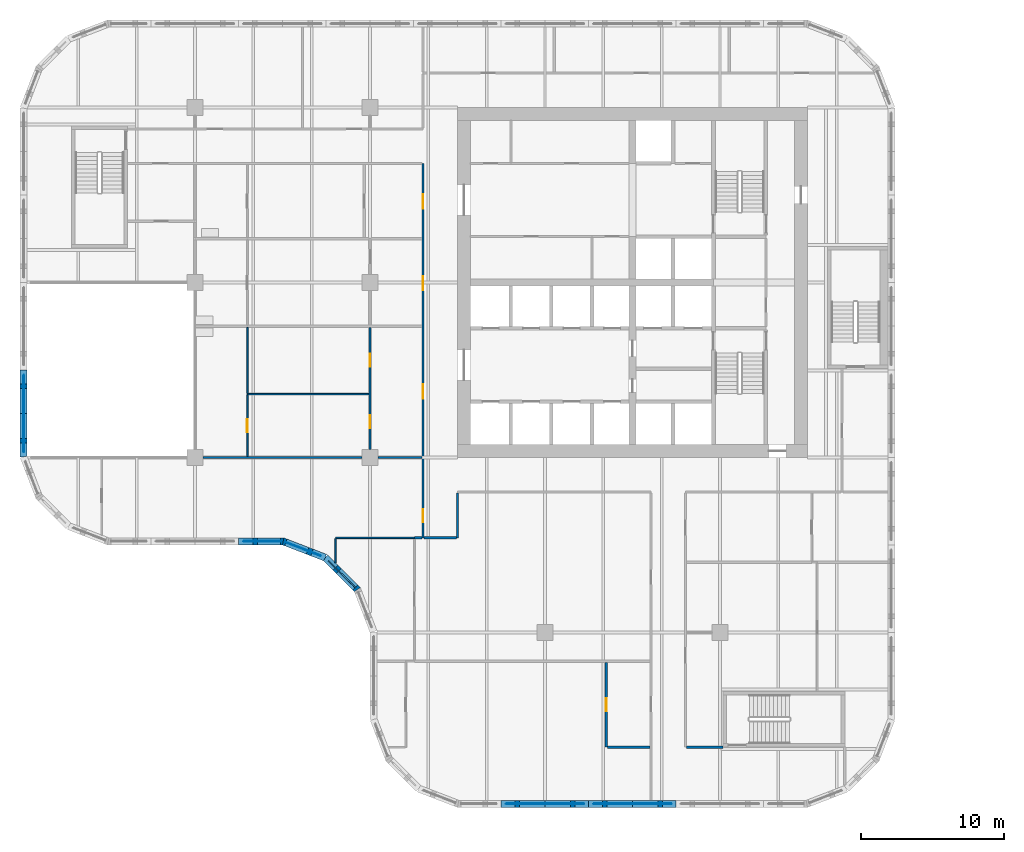
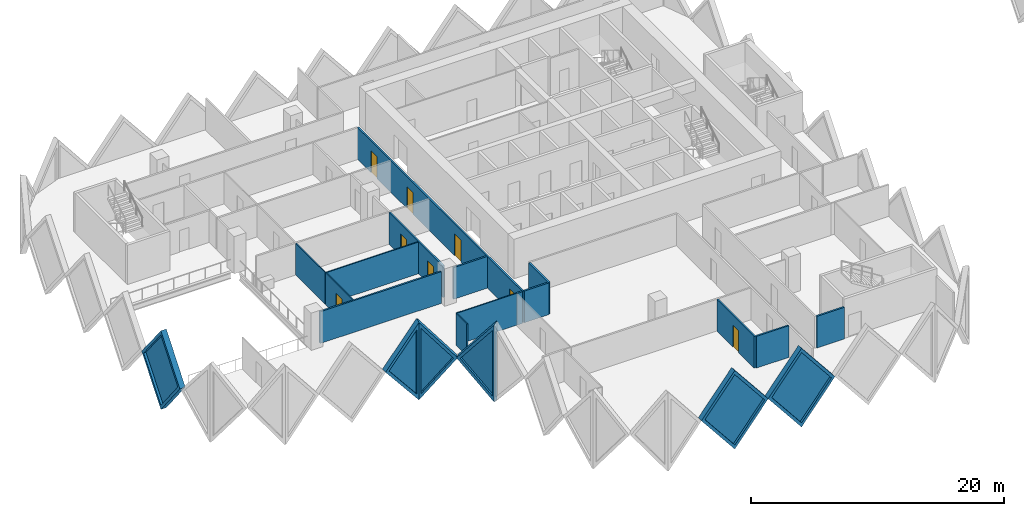
# One storey, part 5 of 20: 21 walls, 8 doors, 6 plates, 14 openings.
"""IFC4 building model written with IfcOpenShell, lengths in metres."""

from ifc_helpers import new_model, si_unit, direction, frame, frame_2d, origin, place, context, subcontext, project, spatial, polyline, rectangle, outline, extrude, faceted_brep, source, transform, mapped, material, layer, layer_set, type_object, element, fill, save


model = new_model("IFC4")

# Units and contexts
model_context = context("Model", 3, precision=1e-05, world=origin(), true_north=direction((0.0, 1.0)))
body_context = subcontext(model_context, "Body", "Model", "MODEL_VIEW")
ifc_project = project(units=[si_unit("LENGTHUNIT", "METRE"), si_unit("AREAUNIT", "SQUARE_METRE"), si_unit("VOLUMEUNIT", "CUBIC_METRE"), si_unit("PLANEANGLEUNIT", "RADIAN"), si_unit("MASSUNIT", "GRAM", prefix="KILO")], contexts=[model_context])

# Site, building, storey
site_placement = place(None, origin())
site = spatial("IfcSite", under=ifc_project, at=site_placement, CompositionType="ELEMENT")
building_placement = place(site_placement, origin())
building = spatial("IfcBuilding", under=site, at=building_placement, Name="Tessera Gate Towers", CompositionType="ELEMENT")
storey_placement = place(building_placement, frame((0.0, 0.0, 48.60009765625)))
storey = spatial("IfcBuildingStorey", under=building, at=storey_placement, Name="L11", CompositionType="ELEMENT", Elevation=48.60009765625)

# Wall
ifc_material_1 = material(Name="Gypsum board on steel studs, mineral wool", Category="steel")
ifc_layer_1 = layer(ifc_material_1, 0.14990234375)
ifc_layer_set_1 = layer_set([ifc_layer_1], Name="CORRIDOR WALL 150")
wall_type_1 = type_object("IfcWallType", Name="CORRIDOR WALL 150", PredefinedType="PARTITIONING", material=ifc_layer_set_1)
wall_1_placement = place(storey_placement, frame((46.47607421875, 4.199951171875, 0.0), z_axis=(0.0, 0.0, 1.0), x_axis=(1.0, 0.0, 0.0)))
element("IfcWall", 1, at=wall_1_placement, inside=storey, type_object=wall_type_1, Name="T1-L11-PW-008", PredefinedType="PARTITIONING", context=body_context, shape_type="SweptSolid", body=[
    extrude(rectangle(XDim=2.52392578125, YDim=0.14990234375, at=frame_2d((1.261962890625, 0.0))), origin(), (0.0, 0.0, 1.0), 3.06689453125),
])

# Wall, openings, doors
wall_2_placement = place(storey_placement, frame((28.10009765625, 18.800048828125, 0.0), z_axis=(0.0, 0.0, 1.0), x_axis=(0.0, 1.0, 0.0)))
wall_2 = element("IfcWall", 2, at=wall_2_placement, inside=storey, type_object=wall_type_1, Name="T1-L11-PW-022", PredefinedType="PARTITIONING", context=body_context, shape_type="SweptSolid", body=[
    extrude(rectangle(XDim=26.099853515625, YDim=0.14990234375, at=frame_2d((13.0498046875, 0.0))), origin(), (0.0, 0.0, 1.0), 3.06689453125),
])
shared_shape_1 = source(origin(), body_context, "Body", "SweptSolid", [
    extrude(rectangle(XDim=0.89990234375, YDim=2.10009765625, at=frame_2d((0.449951171875, 1.050048828125))), frame((0.0, 0.0849609375, 0.0), z_axis=(0.0, -1.0, 0.0), x_axis=(1.0, 0.0, 0.0)), (0.0, 0.0, 1.0), 0.169921875),
])
opening_1_placement = place(wall_2_placement, frame((1.10009765625, 0.0, 0.0)))
opening_1 = element("IfcOpeningElement", 3, at=opening_1_placement, cuts=wall_2, Name="Opening D890FD60-A04-01", PredefinedType="OPENING", context=body_context, shape_type="MappedRepresentation", body=[
    mapped(shared_shape_1, transform((0.0, 0.0, 0.0), scale=1.0)),
])
shared_shape_2 = source(origin(), body_context, "Body", "SweptSolid", [
    extrude(rectangle(XDim=1.0, YDim=2.10009765625, at=frame_2d((0.5, 1.050048828125))), frame((0.0, 0.0849609375, 0.0), z_axis=(0.0, -1.0, 0.0), x_axis=(1.0, 0.0, 0.0)), (0.0, 0.0, 1.0), 0.169921875),
])
opening_2_placement = place(wall_2_placement, frame((22.950927734375, 0.0, 0.0)))
opening_2 = element("IfcOpeningElement", 4, at=opening_2_placement, cuts=wall_2, Name="Opening D2100FD60-A04-03", PredefinedType="OPENING", context=body_context, shape_type="MappedRepresentation", body=[
    mapped(shared_shape_2, transform((0.0, 0.0, 0.0), scale=1.0)),
])
opening_3_placement = place(wall_2_placement, frame((17.2509765625, 0.0, 0.0)))
opening_3 = element("IfcOpeningElement", 5, at=opening_3_placement, cuts=wall_2, Name="Opening D2100FD60-A04-05", PredefinedType="OPENING", context=body_context, shape_type="MappedRepresentation", body=[
    mapped(shared_shape_2, transform((0.0, 0.0, 0.0), scale=1.0)),
])
opening_4_placement = place(wall_2_placement, frame((9.699951171875, 0.0, 0.0)))
opening_4 = element("IfcOpeningElement", 6, at=opening_4_placement, cuts=wall_2, Name="Opening D2100FD60-A04-07", PredefinedType="OPENING", context=body_context, shape_type="MappedRepresentation", body=[
    mapped(shared_shape_2, transform((0.0, 0.0, 0.0), scale=1.0)),
])
ifc_material_2 = material(Name="Timber door leaf in steel frame", Category="steel")
door_type_1 = type_object("IfcDoorType", Name="CORRIDOR DOOR 900 FD60", OperationType="NOTDEFINED", PredefinedType="DOOR", material=ifc_material_2)
shared_shape_3 = source(origin(), body_context, "Body", "SweptSolid", [
    extrude(rectangle(XDim=0.89990234375, YDim=2.10009765625, at=frame_2d((0.449951171875, 1.050048828125))), frame((0.0, 0.02490234375, 0.0), z_axis=(0.0, -1.0, 0.0), x_axis=(1.0, 0.0, 0.0)), (0.0, 0.0, 1.0), 0.050048828125),
])
door_1_placement = place(opening_1_placement, origin())
door_1 = element("IfcDoor", 7, at=door_1_placement, inside=storey, type_object=door_type_1, Name="T1-L11-PD-001", OperationType="SINGLE_SWING_LEFT", OverallHeight=2.10009765625, OverallWidth=0.89990234375, PredefinedType="DOOR", context=body_context, shape_type="MappedRepresentation", body=[
    mapped(shared_shape_3, transform((0.0, 0.0, 0.0), scale=1.0)),
])
fill(opening_1, door_1)
ifc_material_3 = material(Name="Timber door leaf in steel frame", Category="steel")
door_type_2 = type_object("IfcDoorType", Name="TENANCY ENTRANCE DOOR 1000 FD60", OperationType="NOTDEFINED", PredefinedType="DOOR", material=ifc_material_3)
shared_shape_4 = source(origin(), body_context, "Body", "SweptSolid", [
    extrude(rectangle(XDim=1.0, YDim=2.10009765625, at=frame_2d((0.5, 1.050048828125))), frame((0.0, 0.02490234375, 0.0), z_axis=(0.0, -1.0, 0.0), x_axis=(1.0, 0.0, 0.0)), (0.0, 0.0, 1.0), 0.050048828125),
])
door_2_placement = place(opening_2_placement, origin())
door_2 = element("IfcDoor", 8, at=door_2_placement, inside=storey, type_object=door_type_2, Name="T1-L11-PD-012", OperationType="SINGLE_SWING_LEFT", OverallHeight=2.10009765625, OverallWidth=1.0, PredefinedType="DOOR", context=body_context, shape_type="MappedRepresentation", body=[
    mapped(shared_shape_4, transform((0.0, 0.0, 0.0), scale=1.0)),
])
fill(opening_2, door_2)
door_3_placement = place(opening_3_placement, origin())
door_3 = element("IfcDoor", 9, at=door_3_placement, inside=storey, type_object=door_type_2, Name="T1-L11-PD-016", OperationType="SINGLE_SWING_LEFT", OverallHeight=2.10009765625, OverallWidth=1.0, PredefinedType="DOOR", context=body_context, shape_type="MappedRepresentation", body=[
    mapped(shared_shape_4, transform((0.0, 0.0, 0.0), scale=1.0)),
])
fill(opening_3, door_3)
door_4_placement = place(opening_4_placement, origin())
door_4 = element("IfcDoor", 10, at=door_4_placement, inside=storey, type_object=door_type_2, Name="T1-L11-PD-024", OperationType="SINGLE_SWING_LEFT", OverallHeight=2.10009765625, OverallWidth=1.0, PredefinedType="DOOR", context=body_context, shape_type="MappedRepresentation", body=[
    mapped(shared_shape_4, transform((0.0, 0.0, 0.0), scale=1.0)),
])
fill(opening_4, door_4)

# Walls
wall_3_placement = place(storey_placement, frame((28.176025390625, 18.800048828125, 0.0), z_axis=(0.0, 0.0, 1.0), x_axis=(1.0, 0.0, 0.0)))
element("IfcWall", 11, at=wall_3_placement, inside=storey, type_object=wall_type_1, Name="T1-L11-PW-023", PredefinedType="PARTITIONING", context=body_context, shape_type="SweptSolid", body=[
    extrude(rectangle(XDim=2.248046875, YDim=0.14990234375, at=frame_2d((1.1240234375, 0.0))), origin(), (0.0, 0.0, 1.0), 3.06689453125),
])
wall_4_placement = place(storey_placement, frame((30.5, 18.800048828125, 0.0), z_axis=(0.0, 0.0, 1.0), x_axis=(0.0, 1.0, 0.0)))
element("IfcWall", 12, at=wall_4_placement, inside=storey, type_object=wall_type_1, Name="T1-L11-PW-024", PredefinedType="PARTITIONING", context=body_context, shape_type="SweptSolid", body=[
    extrude(rectangle(XDim=3.1240234375, YDim=0.14990234375, at=frame_2d((1.56201171875, 0.0))), origin(), (0.0, 0.0, 1.0), 3.06689453125),
])
ifc_material_4 = material(Name="Glass", Category="glass")
ifc_layer_2 = layer(ifc_material_4, 0.10009765625)
ifc_layer_set_2 = layer_set([ifc_layer_2], Name="GLAZED PARTITION 100")
wall_type_2 = type_object("IfcWallType", Name="GLAZED PARTITION 100", PredefinedType="PARTITIONING", material=ifc_layer_set_2)
wall_5_placement = place(storey_placement, frame((22.0, 17.054931640625, 0.0), z_axis=(0.0, 0.0, 1.0), x_axis=(0.0, 1.0, 0.0)))
element("IfcWall", 13, at=wall_5_placement, inside=storey, type_object=wall_type_2, Name="T1-L11-PW-015", PredefinedType="PARTITIONING", context=body_context, shape_type="SweptSolid", body=[
    extrude(rectangle(XDim=1.694091796875, YDim=0.10009765625, at=frame_2d((0.84716796875, 0.0))), origin(), (0.0, 0.0, 1.0), 3.06689453125),
])
wall_6_placement = place(storey_placement, frame((22.0, 18.800048828125, 0.0), z_axis=(0.0, 0.0, 1.0), x_axis=(1.0, 0.0, 0.0)))
element("IfcWall", 14, at=wall_6_placement, inside=storey, type_object=wall_type_2, Name="T1-L11-PW-020", PredefinedType="PARTITIONING", context=body_context, shape_type="SweptSolid", body=[
    extrude(rectangle(XDim=5.4990234375, YDim=0.10009765625, at=frame_2d((2.74951171875, 0.0))), origin(), (0.0, 0.0, 1.0), 3.06689453125),
])

# Wall, opening, door
ifc_material_5 = material(Name="Gypsum board on steel studs", Category="steel")
ifc_layer_3 = layer(ifc_material_5, 0.10009765625)
ifc_layer_set_3 = layer_set([ifc_layer_3], Name="PARTITION 100")
wall_type_3 = type_object("IfcWallType", Name="PARTITION 100", PredefinedType="PARTITIONING", material=ifc_layer_set_3)
wall_7_placement = place(storey_placement, frame((15.85009765625, 24.47607421875, 0.0), z_axis=(0.0, 0.0, 1.0), x_axis=(0.0, 1.0, 0.0)))
wall_7 = element("IfcWall", 15, at=wall_7_placement, inside=storey, type_object=wall_type_3, Name="T1-L11-PW-032", PredefinedType="PARTITIONING", context=body_context, shape_type="SweptSolid", body=[
    extrude(rectangle(XDim=4.293212890625, YDim=0.10009765625, at=frame_2d((2.146484375, 0.0))), origin(), (0.0, 0.0, 1.0), 3.06689453125),
])
shared_shape_5 = source(origin(), body_context, "Body", "SweptSolid", [
    extrude(rectangle(XDim=0.89990234375, YDim=2.10009765625, at=frame_2d((0.449951171875, 1.050048828125))), frame((0.0, 0.06005859375, 0.0), z_axis=(0.0, -1.0, 0.0), x_axis=(1.0, 0.0, 0.0)), (0.0, 0.0, 1.0), 0.1201171875),
])
opening_5_placement = place(wall_7_placement, frame((1.699951171875, 0.0, 0.0)))
opening_5 = element("IfcOpeningElement", 16, at=opening_5_placement, cuts=wall_7, Name="Opening D190-A04-02", PredefinedType="OPENING", context=body_context, shape_type="MappedRepresentation", body=[
    mapped(shared_shape_5, transform((0.0, 0.0, 0.0), scale=1.0)),
])
ifc_material_6 = material(Name="Timber door leaf in steel frame", Category="steel")
door_type_3 = type_object("IfcDoorType", Name="INTERNAL DOOR 900 NOT RATED", OperationType="NOTDEFINED", PredefinedType="DOOR", material=ifc_material_6)
door_5_placement = place(opening_5_placement, origin())
door_5 = element("IfcDoor", 17, at=door_5_placement, inside=storey, type_object=door_type_3, Name="T1-L11-PD-003", OperationType="SINGLE_SWING_LEFT", OverallHeight=2.10009765625, OverallWidth=0.89990234375, PredefinedType="DOOR", context=body_context, shape_type="MappedRepresentation", body=[
    mapped(shared_shape_3, transform((0.0, 0.0, 0.0), scale=1.0)),
])
fill(opening_5, door_5)

# Walls
wall_8_placement = place(storey_placement, frame((15.85009765625, 28.820068359375, 0.0), z_axis=(0.0, 0.0, 1.0), x_axis=(1.0, 0.0, 0.0)))
element("IfcWall", 18, at=wall_8_placement, inside=storey, type_object=wall_type_3, Name="T1-L11-PW-034", PredefinedType="PARTITIONING", context=body_context, shape_type="SweptSolid", body=[
    extrude(rectangle(XDim=8.473876953125, YDim=0.10009765625, at=frame_2d((4.23681640625, 0.0))), origin(), (0.0, 0.0, 1.0), 3.06689453125),
])
wall_9_placement = place(storey_placement, frame((15.85009765625, 28.871337890625, 0.0), z_axis=(0.0, 0.0, 1.0), x_axis=(0.0, 1.0, 0.0)))
element("IfcWall", 19, at=wall_9_placement, inside=storey, type_object=wall_type_3, Name="T1-L11-PW-035", PredefinedType="PARTITIONING", context=body_context, shape_type="SweptSolid", body=[
    extrude(rectangle(XDim=4.602783203125, YDim=0.10009765625, at=frame_2d((2.30126953125, 0.0))), origin(), (0.0, 0.0, 1.0), 3.06689453125),
])

# Wall, opening, door
ifc_material_7 = material(Name="Gypsum board on steel studs, mineral wool", Category="steel")
ifc_layer_4 = layer(ifc_material_7, 0.14990234375)
ifc_layer_set_4 = layer_set([ifc_layer_4], Name="TENANCY WALL 150")
wall_type_4 = type_object("IfcWallType", Name="TENANCY WALL 150", PredefinedType="PARTITIONING", material=ifc_layer_set_4)
wall_10_placement = place(storey_placement, frame((40.875, 4.199951171875, 0.0), z_axis=(0.0, 0.0, 1.0), x_axis=(0.0, 1.0, 0.0)))
wall_10 = element("IfcWall", 20, at=wall_10_placement, inside=storey, type_object=wall_type_4, Name="T1-L11-PW-005", PredefinedType="PARTITIONING", context=body_context, shape_type="SweptSolid", body=[
    extrude(rectangle(XDim=5.924072265625, YDim=0.14990234375, at=frame_2d((2.9619140625, 0.0))), origin(), (0.0, 0.0, 1.0), 3.06689453125),
])
opening_6_placement = place(wall_10_placement, frame((2.5, 0.0, 0.0)))
opening_6 = element("IfcOpeningElement", 21, at=opening_6_placement, cuts=wall_10, Name="Opening D190-A04-10", PredefinedType="OPENING", context=body_context, shape_type="MappedRepresentation", body=[
    mapped(shared_shape_1, transform((0.0, 0.0, 0.0), scale=1.0)),
])
door_6_placement = place(opening_6_placement, origin())
door_6 = element("IfcDoor", 22, at=door_6_placement, inside=storey, type_object=door_type_3, Name="T1-L11-PD-021", OperationType="SINGLE_SWING_LEFT", OverallHeight=2.10009765625, OverallWidth=0.89990234375, PredefinedType="DOOR", context=body_context, shape_type="MappedRepresentation", body=[
    mapped(shared_shape_3, transform((0.0, 0.0, 0.0), scale=1.0)),
])
fill(opening_6, door_6)

# Walls
wall_11_placement = place(storey_placement, frame((40.950927734375, 4.199951171875, 0.0), z_axis=(0.0, 0.0, 1.0), x_axis=(1.0, 0.0, 0.0)))
element("IfcWall", 23, at=wall_11_placement, inside=storey, type_object=wall_type_4, Name="T1-L11-PW-006", PredefinedType="PARTITIONING", context=body_context, shape_type="SweptSolid", body=[
    extrude(rectangle(XDim=2.97314453125, YDim=0.14990234375, at=frame_2d((1.486572265625, 0.0))), origin(), (0.0, 0.0, 1.0), 3.06689453125),
])
wall_12_placement = place(storey_placement, frame((27.5, 18.800048828125, 0.0), z_axis=(0.0, 0.0, 1.0), x_axis=(1.0, 0.0, 0.0)))
element("IfcWall", 24, at=wall_12_placement, inside=storey, type_object=wall_type_4, Name="T1-L11-PW-021", PredefinedType="PARTITIONING", context=body_context, shape_type="SweptSolid", body=[
    extrude(rectangle(XDim=0.52392578125, YDim=0.14990234375, at=frame_2d((0.261962890625, 0.0))), origin(), (0.0, 0.0, 1.0), 3.06689453125),
])
wall_13_placement = place(storey_placement, frame((12.7509765625, 24.39990234375, 0.0), z_axis=(0.0, 0.0, 1.0), x_axis=(1.0, 0.0, 0.0)))
element("IfcWall", 25, at=wall_13_placement, inside=storey, type_object=wall_type_4, Name="T1-L11-PW-030", PredefinedType="PARTITIONING", context=body_context, shape_type="SweptSolid", body=[
    extrude(rectangle(XDim=11.09814453125, YDim=0.14990234375, at=frame_2d((5.549072265625, 0.0))), origin(), (0.0, 0.0, 1.0), 3.06689453125),
])
wall_14_placement = place(storey_placement, frame((24.950927734375, 24.39990234375, 0.0), z_axis=(0.0, 0.0, 1.0), x_axis=(1.0, 0.0, 0.0)))
element("IfcWall", 26, at=wall_14_placement, inside=storey, type_object=wall_type_4, Name="T1-L11-PW-031", PredefinedType="PARTITIONING", context=body_context, shape_type="SweptSolid", body=[
    extrude(rectangle(XDim=3.072998046875, YDim=0.14990234375, at=frame_2d((1.53662109375, 0.0))), origin(), (0.0, 0.0, 1.0), 3.06689453125),
])

# Wall, openings, doors
wall_15_placement = place(storey_placement, frame((24.39990234375, 24.950927734375, 0.0), z_axis=(0.0, 0.0, 1.0), x_axis=(0.0, 1.0, 0.0)))
wall_15 = element("IfcWall", 27, at=wall_15_placement, inside=storey, type_object=wall_type_4, Name="T1-L11-PW-033", PredefinedType="PARTITIONING", context=body_context, shape_type="SweptSolid", body=[
    extrude(rectangle(XDim=8.523193359375, YDim=0.14990234375, at=frame_2d((4.26171875, 0.0))), origin(), (0.0, 0.0, 1.0), 3.06689453125),
])
opening_7_placement = place(wall_15_placement, frame((1.5, 0.0, 0.0)))
opening_7 = element("IfcOpeningElement", 28, at=opening_7_placement, cuts=wall_15, Name="Opening D190-A04-01", PredefinedType="OPENING", context=body_context, shape_type="MappedRepresentation", body=[
    mapped(shared_shape_1, transform((0.0, 0.0, 0.0), scale=1.0)),
])
opening_8_placement = place(wall_15_placement, frame((5.769287109375, 0.0, 0.0)))
opening_8 = element("IfcOpeningElement", 29, at=opening_8_placement, cuts=wall_15, Name="Opening D190-A04-03", PredefinedType="OPENING", context=body_context, shape_type="MappedRepresentation", body=[
    mapped(shared_shape_1, transform((0.0, 0.0, 0.0), scale=1.0)),
])
door_7_placement = place(opening_7_placement, origin())
door_7 = element("IfcDoor", 30, at=door_7_placement, inside=storey, type_object=door_type_3, Name="T1-L11-PD-002", OperationType="SINGLE_SWING_LEFT", OverallHeight=2.10009765625, OverallWidth=0.89990234375, PredefinedType="DOOR", context=body_context, shape_type="MappedRepresentation", body=[
    mapped(shared_shape_3, transform((0.0, 0.0, 0.0), scale=1.0)),
])
fill(opening_7, door_7)
door_8_placement = place(opening_8_placement, origin())
door_8 = element("IfcDoor", 31, at=door_8_placement, inside=storey, type_object=door_type_3, Name="T1-L11-PD-004", OperationType="SINGLE_SWING_LEFT", OverallHeight=2.10009765625, OverallWidth=0.89990234375, PredefinedType="DOOR", context=body_context, shape_type="MappedRepresentation", body=[
    mapped(shared_shape_3, transform((0.0, 0.0, 0.0), scale=1.0)),
])
fill(opening_8, door_8)

# Wall, opening, plate
ifc_material_8 = material(Name="Precast concrete C60/75 white", Category="concrete")
ifc_layer_5 = layer(ifc_material_8, 0.5)
ifc_layer_set_5 = layer_set([ifc_layer_5], Name="TS1 tessera")
wall_type_5 = type_object("IfcWallType", Name="TS1 tessera", PredefinedType="SOLIDWALL", material=ifc_layer_set_5)
shared_shape_6 = source(origin(), body_context, "Body", "Brep", [
    faceted_brep([(3.050048828125, -0.25, 0.0), (6.099853515625, -0.25, 3.7998046875), (6.099853515625, -0.25, 3.80029296875), (3.050048828125, -0.25, 7.599853515625), (0.0, -0.25, 3.800048828125), (0.0, 0.25, 3.800048828125), (3.050048828125, 0.25, 7.599853515625), (6.099853515625, 0.25, 3.80029296875), (6.099853515625, 0.25, 3.7998046875), (3.050048828125, 0.25, 0.0)], [[[0, 1, 2, 3, 4]], [[5, 6, 7, 8, 9]], [[9, 8, 1, 0]], [[7, 6, 3, 2]], [[6, 5, 4, 3]], [[5, 9, 0, 4]], [[1, 8, 7, 2]]]),
])
wall_16_placement = place(storey_placement, frame((33.550048828125, 0.25, -3.800048828125), z_axis=(0.0, 0.0, 1.0), x_axis=(1.0, 0.0, 0.0)))
wall_16 = element("IfcWall", 32, at=wall_16_placement, inside=storey, type_object=wall_type_5, Name="Precast tessera T1 TS1-0138", PredefinedType="SOLIDWALL", context=body_context, shape_type="MappedRepresentation", body=[
    mapped(shared_shape_6, transform((0.0, 0.0, 0.0), scale=1.0)),
])
shared_shape_7 = source(origin(), body_context, "Body", "SweptSolid", [
    extrude(outline(polyline([(3.050048828125, 0.3994140625), (5.779541015625, 3.800048828125), (3.050048828125, 7.200439453125), (0.320556640625, 3.800048828125), (3.050048828125, 0.3994140625)])), frame((0.0, 0.260009765625, 0.0), z_axis=(0.0, -1.0, 0.0), x_axis=(1.0, 0.0, 0.0)), (0.0, 0.0, 1.0), 0.52001953125),
])
opening_9_placement = place(wall_16_placement, origin())
opening_9 = element("IfcOpeningElement", 33, at=opening_9_placement, cuts=wall_16, Name="Opening T1-PL2-0284", PredefinedType="OPENING", context=body_context, shape_type="MappedRepresentation", body=[
    mapped(shared_shape_7, transform((0.0, 0.0, 0.0), scale=1.0)),
])
ifc_material_9 = material(Name="Low-e laminated glass", Category="glass")
ifc_layer_6 = layer(ifc_material_9, 0.06005859375)
ifc_layer_set_6 = layer_set([ifc_layer_6], Name="PL2 rhombic pane")
plate_type = type_object("IfcPlateType", Name="PL2 rhombic pane", PredefinedType="SHEET", material=ifc_layer_set_6)
shared_shape_8 = source(origin(), body_context, "Body", "SweptSolid", [
    extrude(outline(polyline([(3.050048828125, 0.3994140625), (5.779541015625, 3.800048828125), (3.050048828125, 7.200439453125), (0.320556640625, 3.800048828125), (3.050048828125, 0.3994140625)])), frame((0.0, 0.030029296875, 0.0), z_axis=(0.0, -1.0, 0.0), x_axis=(1.0, 0.0, 0.0)), (0.0, 0.0, 1.0), 0.06005859375),
])
plate_1_placement = place(opening_9_placement, origin())
plate_1 = element("IfcPlate", 34, at=plate_1_placement, inside=storey, type_object=plate_type, Name="Glass pane T1 PL2-0284", PredefinedType="SHEET", context=body_context, shape_type="MappedRepresentation", body=[
    mapped(shared_shape_8, transform((0.0, 0.0, 0.0), scale=1.0)),
])
fill(opening_9, plate_1)

shared_shape_9 = source(origin(), body_context, "Body", "SweptSolid", [
    extrude(outline(polyline([(3.050048828125, 0.0), (6.10009765625, 3.800048828125), (3.050048828125, 7.599853515625), (0.0, 3.800048828125), (3.050048828125, 0.0)])), frame((0.0, 0.25, 0.0), z_axis=(0.0, -1.0, 0.0), x_axis=(1.0, 0.0, 0.0)), (0.0, 0.0, 1.0), 0.5),
])
wall_17_placement = place(storey_placement, frame((39.64990234375, 0.25, -3.800048828125), z_axis=(0.0, 0.0, 1.0), x_axis=(1.0, 0.0, 0.0)))
wall_17 = element("IfcWall", 35, at=wall_17_placement, inside=storey, type_object=wall_type_5, Name="Precast tessera T1 TS1-0139", PredefinedType="SOLIDWALL", context=body_context, shape_type="MappedRepresentation", body=[
    mapped(shared_shape_9, transform((0.0, 0.0, 0.0), scale=1.0)),
])
opening_10_placement = place(wall_17_placement, origin())
opening_10 = element("IfcOpeningElement", 36, at=opening_10_placement, cuts=wall_17, Name="Opening T1-PL2-0285", PredefinedType="OPENING", context=body_context, shape_type="MappedRepresentation", body=[
    mapped(shared_shape_7, transform((0.0, 0.0, 0.0), scale=1.0)),
])
plate_2_placement = place(opening_10_placement, origin())
plate_2 = element("IfcPlate", 37, at=plate_2_placement, inside=storey, type_object=plate_type, Name="Glass pane T1 PL2-0285", PredefinedType="SHEET", context=body_context, shape_type="MappedRepresentation", body=[
    mapped(shared_shape_8, transform((0.0, 0.0, 0.0), scale=1.0)),
])
fill(opening_10, plate_2)

shared_shape_10 = source(origin(), body_context, "Body", "Brep", [
    faceted_brep([(3.050048828125, -0.25, 0.0), (6.053466796875, -0.25, 3.800048828125), (3.050048828125, -0.25, 7.599853515625), (0.0, -0.25, 3.800048828125), (0.0, 0.25, 3.800048828125), (3.050048828125, 0.25, 7.599853515625), (6.0068359375, 0.25, 3.85888671875), (6.0068359375, 0.25, 3.7412109375), (3.050048828125, 0.25, 0.0), (6.053466796875, 0.0, 3.800048828125)], [[[0, 1, 2, 3]], [[4, 5, 6, 7, 8]], [[8, 7, 9, 1, 0]], [[6, 5, 2, 1, 9]], [[5, 4, 3, 2]], [[4, 8, 0, 3]], [[7, 6, 9]]]),
])
wall_18_placement = place(storey_placement, frame((0.25, 30.5, -3.800048828125), z_axis=(0.0, 0.0, 1.0), x_axis=(0.0, -1.0, 0.0)))
wall_18 = element("IfcWall", 38, at=wall_18_placement, inside=storey, type_object=wall_type_5, Name="Precast tessera T1 TS1-0158", PredefinedType="SOLIDWALL", context=body_context, shape_type="MappedRepresentation", body=[
    mapped(shared_shape_10, transform((0.0, 0.0, 0.0), scale=1.0)),
])
shared_shape_11 = source(origin(), body_context, "Body", "SweptSolid", [
    extrude(outline(polyline([(3.048583984375, 0.401123046875), (5.73486328125, 3.800048828125), (3.048583984375, 7.19873046875), (0.320556640625, 3.800048828125), (3.048583984375, 0.401123046875)])), frame((0.0, 0.260009765625, 0.0), z_axis=(0.0, -1.0, 0.0), x_axis=(1.0, 0.0, 0.0)), (0.0, 0.0, 1.0), 0.52001953125),
])
opening_11_placement = place(wall_18_placement, origin())
opening_11 = element("IfcOpeningElement", 39, at=opening_11_placement, cuts=wall_18, Name="Opening T1-PL2-0316", PredefinedType="OPENING", context=body_context, shape_type="MappedRepresentation", body=[
    mapped(shared_shape_11, transform((0.0, 0.0, 0.0), scale=1.0)),
])
shared_shape_12 = source(origin(), body_context, "Body", "SweptSolid", [
    extrude(outline(polyline([(3.048583984375, 0.401123046875), (5.73486328125, 3.800048828125), (3.048583984375, 7.19873046875), (0.320556640625, 3.800048828125), (3.048583984375, 0.401123046875)])), frame((0.0, 0.030029296875, 0.0), z_axis=(0.0, -1.0, 0.0), x_axis=(1.0, 0.0, 0.0)), (0.0, 0.0, 1.0), 0.06005859375),
])
plate_3_placement = place(opening_11_placement, origin())
plate_3 = element("IfcPlate", 40, at=plate_3_placement, inside=storey, type_object=plate_type, Name="Glass pane T1 PL2-0316", PredefinedType="SHEET", context=body_context, shape_type="MappedRepresentation", body=[
    mapped(shared_shape_12, transform((0.0, 0.0, 0.0), scale=1.0)),
])
fill(opening_11, plate_3)

ifc_material_10 = material(Name="Precast concrete C60/75 white", Category="concrete")
ifc_layer_7 = layer(ifc_material_10, 0.5)
ifc_layer_set_7 = layer_set([ifc_layer_7], Name="TS3 corner tessera")
wall_type_6 = type_object("IfcWallType", Name="TS3 corner tessera", PredefinedType="SOLIDWALL", material=ifc_layer_set_7)
shared_shape_13 = source(origin(), body_context, "Body", "Brep", [
    faceted_brep([(3.050048828125, -0.25, 7.54296875), (0.0, -0.25, 3.800048828125), (3.050048828125, -0.25, 0.056884765625), (0.0, 0.25, 3.800048828125), (3.096435546875, 0.25, 7.599853515625), (3.14306640625, 0.25, 7.54345703125), (3.14306640625, 0.25, 0.056396484375), (3.096435546875, 0.25, 0.0), (3.096435546875, -0.00048828125, 0.0), (3.096435546875, -0.00048828125, 7.599853515625)], [[[0, 1, 2]], [[3, 4, 5, 6, 7]], [[7, 6, 8]], [[5, 4, 9]], [[4, 3, 1, 0, 9]], [[3, 7, 8, 2, 1]], [[2, 8, 6, 5, 9, 0]]]),
])
wall_19_placement = place(storey_placement, frame((15.25, 18.550048828125, -3.800048828125), z_axis=(0.0, 0.0, 1.0), x_axis=(1.0, 0.0, 0.0)))
wall_19 = element("IfcWall", 41, at=wall_19_placement, inside=storey, type_object=wall_type_6, Name="Precast corner tessera T1 TS3-0235", PredefinedType="SOLIDWALL", context=body_context, shape_type="MappedRepresentation", body=[
    mapped(shared_shape_13, transform((0.0, 0.0, 0.0), scale=1.0)),
])
shared_shape_14 = source(origin(), body_context, "Body", "SweptSolid", [
    extrude(outline(polyline([(2.896484375, 6.958740234375), (0.322509765625, 3.800048828125), (2.896484375, 0.64111328125), (2.896484375, 6.958740234375)])), frame((0.0, 0.260009765625, 0.0), z_axis=(0.0, -1.0, 0.0), x_axis=(1.0, 0.0, 0.0)), (0.0, 0.0, 1.0), 0.52001953125),
])
opening_12_placement = place(wall_19_placement, origin())
opening_12 = element("IfcOpeningElement", 42, at=opening_12_placement, cuts=wall_19, Name="Opening T1-PL2-0322", PredefinedType="OPENING", context=body_context, shape_type="MappedRepresentation", body=[
    mapped(shared_shape_14, transform((0.0, 0.0, 0.0), scale=1.0)),
])
shared_shape_15 = source(origin(), body_context, "Body", "SweptSolid", [
    extrude(outline(polyline([(2.896484375, 6.958740234375), (0.322509765625, 3.800048828125), (2.896484375, 0.64111328125), (2.896484375, 6.958740234375)])), frame((0.0, 0.030029296875, 0.0), z_axis=(0.0, -1.0, 0.0), x_axis=(1.0, 0.0, 0.0)), (0.0, 0.0, 1.0), 0.06005859375),
])
plate_4_placement = place(opening_12_placement, origin())
plate_4 = element("IfcPlate", 43, at=plate_4_placement, inside=storey, type_object=plate_type, Name="Glass pane T1 PL2-0322", PredefinedType="SHEET", context=body_context, shape_type="MappedRepresentation", body=[
    mapped(shared_shape_15, transform((0.0, 0.0, 0.0), scale=1.0)),
])
fill(opening_12, plate_4)

shared_shape_16 = source(origin(), body_context, "Body", "Brep", [
    faceted_brep([(0.09326171875, -0.25, 0.05615234375), (3.14306640625, -0.25, 3.736328125), (3.14306640625, -0.25, 3.86376953125), (0.09326171875, -0.25, 7.543701171875), (0.0, 0.25, 7.542724609375), (0.046630859375, 0.25, 7.599853515625), (3.196044921875, 0.25, 3.800048828125), (0.046630859375, 0.25, 0.0), (0.0, 0.25, 0.05712890625), (3.196044921875, -0.000244140625, 3.800048828125), (0.046630859375, 0.0, 0.0), (0.046630859375, 0.0, 7.599853515625)], [[[0, 1, 2, 3]], [[4, 5, 6, 7, 8]], [[7, 6, 9, 1, 0, 10]], [[6, 5, 11, 3, 2, 9]], [[5, 4, 11]], [[8, 7, 10]], [[8, 10, 0, 3, 11, 4]], [[1, 9, 2]]]),
])
wall_20_placement = place(storey_placement, frame((18.302978515625, 18.56689453125, -3.800048828125), z_axis=(0.0, 0.0, 1.0), x_axis=(0.932978940178, -0.359930961693, 0.0)))
wall_20 = element("IfcWall", 44, at=wall_20_placement, inside=storey, type_object=wall_type_6, Name="Precast corner tessera T1 TS3-0236", PredefinedType="SOLIDWALL", context=body_context, shape_type="MappedRepresentation", body=[
    mapped(shared_shape_16, transform((0.0, 0.0, 0.0), scale=1.0)),
])
shared_shape_17 = source(origin(), body_context, "Body", "SweptSolid", [
    extrude(outline(polyline([(0.24658203125, 0.633056640625), (2.871337890625, 3.800048828125), (0.24658203125, 6.966796875), (0.24658203125, 0.633056640625)])), frame((0.0, 0.260009765625, 0.0), z_axis=(0.0, -1.0, 0.0), x_axis=(1.0, 0.0, 0.0)), (0.0, 0.0, 1.0), 0.52001953125),
])
opening_13_placement = place(wall_20_placement, origin())
opening_13 = element("IfcOpeningElement", 45, at=opening_13_placement, cuts=wall_20, Name="Opening T1-PL2-0323", PredefinedType="OPENING", context=body_context, shape_type="MappedRepresentation", body=[
    mapped(shared_shape_17, transform((0.0, 0.0, 0.0), scale=1.0)),
])
shared_shape_18 = source(origin(), body_context, "Body", "SweptSolid", [
    extrude(outline(polyline([(0.24658203125, 0.633056640625), (2.871337890625, 3.800048828125), (0.24658203125, 6.966796875), (0.24658203125, 0.633056640625)])), frame((0.0, 0.030029296875, 0.0), z_axis=(0.0, -1.0, 0.0), x_axis=(1.0, 0.0, 0.0)), (0.0, 0.0, 1.0), 0.06005859375),
])
plate_5_placement = place(opening_13_placement, origin())
plate_5 = element("IfcPlate", 46, at=plate_5_placement, inside=storey, type_object=plate_type, Name="Glass pane T1 PL2-0323", PredefinedType="SHEET", context=body_context, shape_type="MappedRepresentation", body=[
    mapped(shared_shape_18, transform((0.0, 0.0, 0.0), scale=1.0)),
])
fill(opening_13, plate_5)

shared_shape_19 = source(origin(), body_context, "Body", "Brep", [
    faceted_brep([(3.10302734375, -0.25, 7.5361328125), (0.052978515625, -0.25, 3.86376953125), (0.052978515625, -0.25, 3.736328125), (3.10302734375, -0.25, 0.063720703125), (0.0, 0.25, 3.800048828125), (3.15576171875, 0.25, 7.599853515625), (3.208740234375, 0.25, 7.535888671875), (3.208740234375, 0.25, 0.06396484375), (3.15576171875, 0.25, 0.0), (3.15576171875, -0.00048828125, 0.0), (3.15576171875, -0.00048828125, 7.599853515625), (0.0, 0.0, 3.800048828125)], [[[0, 1, 2, 3]], [[4, 5, 6, 7, 8]], [[8, 7, 9]], [[6, 5, 10]], [[5, 4, 11, 1, 0, 10]], [[4, 8, 9, 3, 2, 11]], [[2, 1, 11]], [[3, 9, 7, 6, 10, 0]]]),
])
wall_21_placement = place(storey_placement, frame((21.284912109375, 17.41650390625, -3.800048828125), z_axis=(0.0, 0.0, 1.0), x_axis=(0.707106781187, -0.707106781187, 0.0)))
wall_21 = element("IfcWall", 47, at=wall_21_placement, inside=storey, type_object=wall_type_6, Name="Precast corner tessera T1 TS3-0237", PredefinedType="SOLIDWALL", context=body_context, shape_type="MappedRepresentation", body=[
    mapped(shared_shape_19, transform((0.0, 0.0, 0.0), scale=1.0)),
])
shared_shape_20 = source(origin(), body_context, "Body", "SweptSolid", [
    extrude(outline(polyline([(2.955810546875, 6.9677734375), (0.324951171875, 3.800048828125), (2.955810546875, 0.632080078125), (2.955810546875, 6.9677734375)])), frame((0.0, 0.260009765625, 0.0), z_axis=(0.0, -1.0, 0.0), x_axis=(1.0, 0.0, 0.0)), (0.0, 0.0, 1.0), 0.52001953125),
])
opening_14_placement = place(wall_21_placement, origin())
opening_14 = element("IfcOpeningElement", 48, at=opening_14_placement, cuts=wall_21, Name="Opening T1-PL2-0324", PredefinedType="OPENING", context=body_context, shape_type="MappedRepresentation", body=[
    mapped(shared_shape_20, transform((0.0, 0.0, 0.0), scale=1.0)),
])
shared_shape_21 = source(origin(), body_context, "Body", "SweptSolid", [
    extrude(outline(polyline([(2.955810546875, 6.9677734375), (0.324951171875, 3.800048828125), (2.955810546875, 0.632080078125), (2.955810546875, 6.9677734375)])), frame((0.0, 0.030029296875, 0.0), z_axis=(0.0, -1.0, 0.0), x_axis=(1.0, 0.0, 0.0)), (0.0, 0.0, 1.0), 0.06005859375),
])
plate_6_placement = place(opening_14_placement, origin())
plate_6 = element("IfcPlate", 49, at=plate_6_placement, inside=storey, type_object=plate_type, Name="Glass pane T1 PL2-0324", PredefinedType="SHEET", context=body_context, shape_type="MappedRepresentation", body=[
    mapped(shared_shape_21, transform((0.0, 0.0, 0.0), scale=1.0)),
])
fill(opening_14, plate_6)

save(model, "model.ifc")
